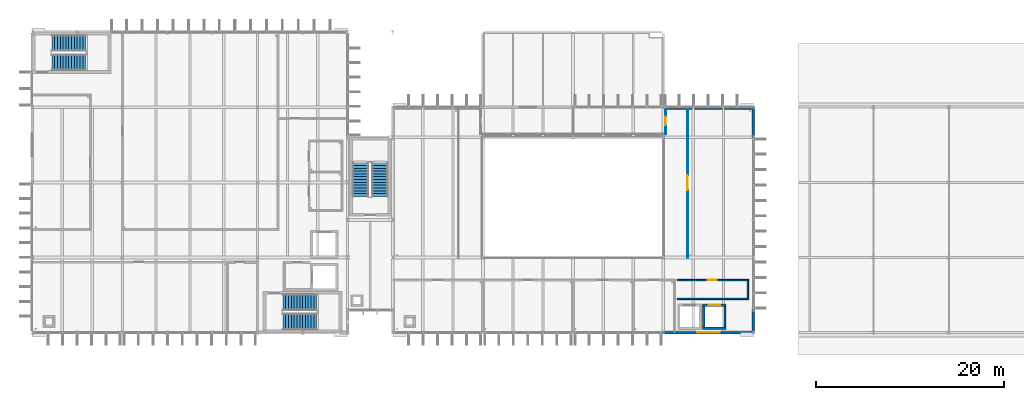
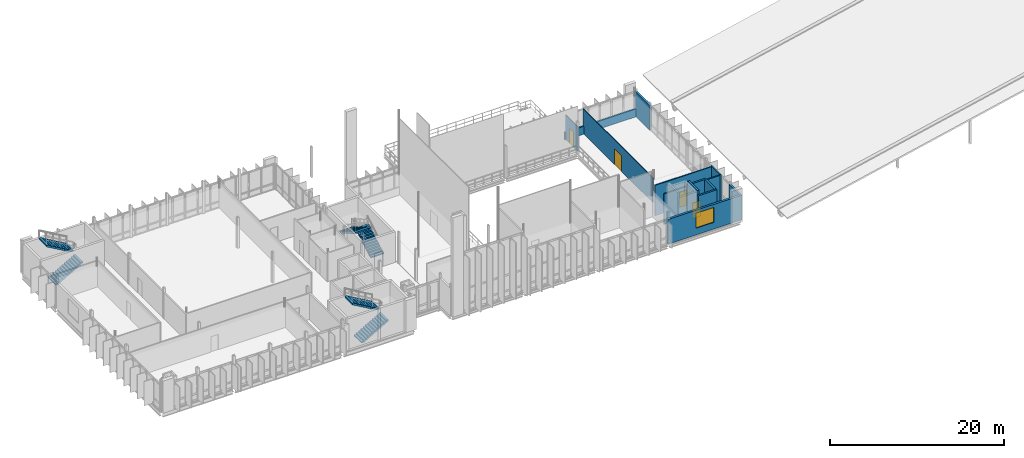
# One storey, part 24 of 41: 13 walls, 6 stair flights, 4 doors, 1 window, 5 openings, 3 elements without a shape of their own.
"""IFC4 building model written with IfcOpenShell, lengths in metres."""

from ifc_helpers import new_model, si_unit, direction, frame, frame_2d, origin, place, context, subcontext, project, spatial, polyline, rectangle, outline, extrude, material, layer, layer_set, type_object, element, fill, aggregate, save


model = new_model("IFC4")

# Units and contexts
model_context = context("Model", 3, precision=1e-05, world=origin(), true_north=direction((0.0, 1.0)))
body_context = subcontext(model_context, "Body", "Model", "MODEL_VIEW")
ifc_project = project(units=[si_unit("LENGTHUNIT", "METRE"), si_unit("AREAUNIT", "SQUARE_METRE"), si_unit("VOLUMEUNIT", "CUBIC_METRE"), si_unit("PLANEANGLEUNIT", "RADIAN"), si_unit("MASSUNIT", "GRAM", prefix="KILO")], contexts=[model_context])

# Site, building, storey
site_placement = place(None, origin())
site = spatial("IfcSite", under=ifc_project, at=site_placement, CompositionType="ELEMENT")
building_placement = place(site_placement, origin())
building = spatial("IfcBuilding", under=site, at=building_placement, Name="Dunescarp Central Library", CompositionType="ELEMENT")
storey_placement = place(building_placement, frame((0.0, 0.0, 23.10009765625)))
storey = spatial("IfcBuildingStorey", under=building, at=storey_placement, Name="L05", CompositionType="ELEMENT", Elevation=23.10009765625)

# Wall
ifc_material_1 = material(Name="Gypsum plasterboard acoustic partition")
ifc_layer_1 = layer(ifc_material_1, 0.14990234375)
ifc_layer_set_1 = layer_set([ifc_layer_1], Name="Gypsum plasterboard acoustic partition")
wall_type_1 = type_object("IfcWallType", Name="ARC-PT-AC150", PredefinedType="PARTITIONING", material=ifc_layer_set_1)
wall_1_placement = place(storey_placement, frame((68.675048828125, 8.39990234375, 0.0), z_axis=(0.0, 0.0, 1.0), x_axis=(1.0, 0.0, 0.0)))
element("IfcWall", 1, at=wall_1_placement, inside=storey, type_object=wall_type_1, Name="L05 partition PT-L05-0243", PredefinedType="PARTITIONING", context=body_context, shape_type="SweptSolid", body=[
    extrude(rectangle(XDim=7.449951171875, YDim=0.14990234375, at=frame_2d((3.72509765625, 0.0))), origin(), (0.0, 0.0, 1.0), 4.27392578125),
])

# Wall, opening, door
wall_2_placement = place(storey_placement, frame((68.675048828125, 10.39990234375, 0.0), z_axis=(0.0, 0.0, 1.0), x_axis=(1.0, 0.0, 0.0)))
wall_2 = element("IfcWall", 2, at=wall_2_placement, inside=storey, type_object=wall_type_1, Name="L05 partition PT-L05-0244", PredefinedType="PARTITIONING", context=body_context, shape_type="SweptSolid", body=[
    extrude(rectangle(XDim=7.449951171875, YDim=0.14990234375, at=frame_2d((3.72509765625, 0.0))), origin(), (0.0, 0.0, 1.0), 4.27392578125),
])
opening_1_placement = place(wall_2_placement, frame((3.25, 0.0, 0.0)))
opening_1 = element("IfcOpeningElement", 3, at=opening_1_placement, cuts=wall_2, Name="Opening DR-L05-0101", PredefinedType="OPENING", context=body_context, shape_type="SweptSolid", body=[
    extrude(rectangle(XDim=0.949951171875, YDim=2.14990234375, at=frame_2d((0.47509765625, 1.074951171875))), frame((0.0, 0.0849609375, 0.0), z_axis=(0.0, -1.0, 0.0), x_axis=(1.0, 0.0, 0.0)), (0.0, 0.0, 1.0), 0.169921875),
])
ifc_material_2 = material(Name="Hardwood solid-core timber leaf", Category="wood")
door_type_1 = type_object("IfcDoorType", Name="ARC-DR-INT950", OperationType="NOTDEFINED", PredefinedType="DOOR", material=ifc_material_2)
door_1_placement = place(opening_1_placement, origin())
door_1 = element("IfcDoor", 4, at=door_1_placement, inside=storey, type_object=door_type_1, Name="L05 interior door DR-L05-0101", OperationType="SINGLE_SWING_LEFT", OverallHeight=2.14990234375, OverallWidth=0.949951171875, PredefinedType="DOOR", context=body_context, shape_type="SweptSolid", body=[
    extrude(rectangle(XDim=0.949951171875, YDim=2.14990234375, at=frame_2d((0.47509765625, 1.074951171875))), frame((0.0, 0.02490234375, 0.0), z_axis=(0.0, -1.0, 0.0), x_axis=(1.0, 0.0, 0.0)), (0.0, 0.0, 1.0), 0.050048828125),
])
fill(opening_1, door_1)

# Wall
wall_3_placement = place(storey_placement, frame((76.199951171875, 8.324951171875, 0.0), z_axis=(0.0, 0.0, 1.0), x_axis=(0.0, 1.0, 0.0)))
element("IfcWall", 5, at=wall_3_placement, inside=storey, type_object=wall_type_1, Name="L05 partition PT-L05-0245", PredefinedType="PARTITIONING", context=body_context, shape_type="SweptSolid", body=[
    extrude(rectangle(XDim=2.150146484375, YDim=0.14990234375, at=frame_2d((1.0751953125, 0.0))), origin(), (0.0, 0.0, 1.0), 4.3828125),
])

# Wall, opening, door
ifc_material_3 = material(Name="Solar-control laminated double glazing", Category="glass")
ifc_layer_2 = layer(ifc_material_3, 0.10009765625)
ifc_layer_set_2 = layer_set([ifc_layer_2], Name="Solar-control laminated double glazing")
wall_type_2 = type_object("IfcWallType", Name="ARC-PT-GLZ100", PredefinedType="MOVABLE", material=ifc_layer_set_2)
wall_4_placement = place(storey_placement, frame((69.800048828125, 12.800048828125, 0.0), z_axis=(0.0, 0.0, 1.0), x_axis=(0.0, 1.0, 0.0)))
wall_4 = element("IfcWall", 6, at=wall_4_placement, inside=storey, type_object=wall_type_2, Name="L05 partition PT-L05-0247", PredefinedType="MOVABLE", context=body_context, shape_type="SweptSolid", body=[
    extrude(rectangle(XDim=15.9599609375, YDim=0.10009765625, at=frame_2d((7.97998046875, 0.0))), origin(), (0.0, 0.0, 1.0), 3.4658203125),
])
opening_2_placement = place(wall_4_placement, frame((7.179931640625, 0.0, 0.0)))
opening_2 = element("IfcOpeningElement", 7, at=opening_2_placement, cuts=wall_4, Name="Opening DR-L05-0103", PredefinedType="OPENING", context=body_context, shape_type="SweptSolid", body=[
    extrude(rectangle(XDim=1.60009765625, YDim=2.25, at=frame_2d((0.800048828125, 1.125))), frame((0.0, 0.06005859375, 0.0), z_axis=(0.0, -1.0, 0.0), x_axis=(1.0, 0.0, 0.0)), (0.0, 0.0, 1.0), 0.1201171875),
])
ifc_material_4 = material(Name="Marine-grade anodised aluminium 6063-T6", Category="aluminium")
door_type_2 = type_object("IfcDoorType", Name="ARC-DR-DBL1600", OperationType="DOUBLE_DOOR_SINGLE_SWING", PredefinedType="DOOR", material=ifc_material_4)
door_2_placement = place(opening_2_placement, origin())
door_2 = element("IfcDoor", 8, at=door_2_placement, inside=storey, type_object=door_type_2, Name="L05 interior door DR-L05-0103", OperationType="DOUBLE_DOOR_SINGLE_SWING", OverallHeight=2.25, OverallWidth=1.60009765625, PredefinedType="DOOR", context=body_context, shape_type="SweptSolid", body=[
    extrude(rectangle(XDim=1.60009765625, YDim=2.25, at=frame_2d((0.800048828125, 1.125))), frame((0.0, 0.02490234375, 0.0), z_axis=(0.0, -1.0, 0.0), x_axis=(1.0, 0.0, 0.0)), (0.0, 0.0, 1.0), 0.050048828125),
])
fill(opening_2, door_2)

wall_5_placement = place(storey_placement, frame((67.449951171875, 25.89990234375, 0.0), z_axis=(0.0, 0.0, 1.0), x_axis=(0.0, 1.0, 0.0)))
wall_5 = element("IfcWall", 9, at=wall_5_placement, inside=storey, type_object=wall_type_2, Name="L05 partition PT-L05-0252", PredefinedType="MOVABLE", context=body_context, shape_type="SweptSolid", body=[
    extrude(rectangle(XDim=2.860107421875, YDim=0.10009765625, at=frame_2d((1.43017578125, 0.0))), origin(), (0.0, 0.0, 1.0), 3.4658203125),
])
opening_3_placement = place(wall_5_placement, frame((0.955078125, 0.0, 0.0)))
opening_3 = element("IfcOpeningElement", 10, at=opening_3_placement, cuts=wall_5, Name="Opening DR-L05-0105", PredefinedType="OPENING", context=body_context, shape_type="SweptSolid", body=[
    extrude(rectangle(XDim=0.949951171875, YDim=2.14990234375, at=frame_2d((0.47509765625, 1.074951171875))), frame((0.0, 0.06005859375, 0.0), z_axis=(0.0, -1.0, 0.0), x_axis=(1.0, 0.0, 0.0)), (0.0, 0.0, 1.0), 0.1201171875),
])
door_3_placement = place(opening_3_placement, origin())
door_3 = element("IfcDoor", 11, at=door_3_placement, inside=storey, type_object=door_type_1, Name="L05 interior door DR-L05-0105", OperationType="SINGLE_SWING_LEFT", OverallHeight=2.14990234375, OverallWidth=0.949951171875, PredefinedType="DOOR", context=body_context, shape_type="SweptSolid", body=[
    extrude(rectangle(XDim=0.949951171875, YDim=2.14990234375, at=frame_2d((0.47509765625, 1.074951171875))), frame((0.0, 0.02490234375, 0.0), z_axis=(0.0, -1.0, 0.0), x_axis=(1.0, 0.0, 0.0)), (0.0, 0.0, 1.0), 0.050048828125),
])
fill(opening_3, door_3)

# Walls
ifc_material_5 = material(Name="Glass-fibre reinforced concrete GRC", Category="concrete")
ifc_layer_3 = layer(ifc_material_5, 0.260009765625)
ifc_layer_set_3 = layer_set([ifc_layer_3], Name="Glass-fibre reinforced concrete GRC")
wall_type_3 = type_object("IfcWallType", Name="ARC-WL-GRC260", PredefinedType="SOLIDWALL", material=ifc_layer_set_3)
wall_6_placement = place(storey_placement, frame((76.800048828125, 7.284912109375, 0.0), z_axis=(0.0, 0.0, 1.0), x_axis=(0.0, -1.0, 0.0)))
element("IfcWall", 12, at=wall_6_placement, inside=storey, type_object=wall_type_3, Name="L05 external wall EW-V2-063", PredefinedType="SOLIDWALL", context=body_context, shape_type="SweptSolid", body=[
    extrude(rectangle(XDim=2.56982421875, YDim=0.260009765625, at=frame_2d((1.284912109375, 0.0))), origin(), (0.0, 0.0, 1.0), 3.472900390625),
])
wall_7_placement = place(storey_placement, frame((76.800048828125, 28.885009765625, 0.0), z_axis=(0.0, 0.0, 1.0), x_axis=(0.0, -1.0, 0.0)))
element("IfcWall", 13, at=wall_7_placement, inside=storey, type_object=wall_type_3, Name="L05 external wall EW-V2-064", PredefinedType="SOLIDWALL", context=body_context, shape_type="SweptSolid", body=[
    extrude(rectangle(XDim=3.3701171875, YDim=0.260009765625, at=frame_2d((1.68505859375, 0.0))), origin(), (0.0, 0.0, 1.0), 3.4658203125),
])

# Wall, opening, window
ifc_layer_4 = layer(ifc_material_5, 0.280029296875)
ifc_layer_set_4 = layer_set([ifc_layer_4], Name="Glass-fibre reinforced concrete GRC")
wall_type_4 = type_object("IfcWallType", Name="ARC-WL-GRC280", PredefinedType="SOLIDWALL", material=ifc_layer_set_4)
wall_8_placement = place(storey_placement, frame((76.885009765625, 4.800048828125, 0.0), z_axis=(0.0, 0.0, 1.0), x_axis=(-1.0, 0.0, 0.0)))
wall_8 = element("IfcWall", 14, at=wall_8_placement, inside=storey, type_object=wall_type_4, Name="L05 external wall EW-V2-059", PredefinedType="SOLIDWALL", context=body_context, shape_type="SweptSolid", body=[
    extrude(rectangle(XDim=9.77001953125, YDim=0.280029296875, at=frame_2d((4.885009765625, 0.0))), origin(), (0.0, 0.0, 1.0), 3.472900390625),
])
opening_4_placement = place(wall_8_placement, frame((3.68505859375, 0.0, 0.949951171875)))
opening_4 = element("IfcOpeningElement", 15, at=opening_4_placement, cuts=wall_8, Name="Opening WN-013", PredefinedType="OPENING", context=body_context, shape_type="SweptSolid", body=[
    extrude(rectangle(XDim=2.39990234375, YDim=2.10009765625, at=frame_2d((1.199951171875, 1.050048828125))), frame((0.0, 0.14990234375, 0.0), z_axis=(0.0, -1.0, 0.0), x_axis=(1.0, 0.0, 0.0)), (0.0, 0.0, 1.0), 0.300048828125),
])
window_type = type_object("IfcWindowType", Name="ARC-WN-2400X2100", PartitioningType="SINGLE_PANEL", PredefinedType="WINDOW", material=ifc_material_3)
window_placement = place(opening_4_placement, origin())
window = element("IfcWindow", 16, at=window_placement, inside=storey, type_object=window_type, Name="L05 window WN-013", OverallHeight=2.10009765625, OverallWidth=2.39990234375, PartitioningType="SINGLE_PANEL", PredefinedType="WINDOW", context=body_context, shape_type="SweptSolid", body=[
    extrude(rectangle(XDim=2.39990234375, YDim=2.10009765625, at=frame_2d((1.199951171875, 1.050048828125))), frame((0.0, 0.030029296875, 0.0), z_axis=(0.0, -1.0, 0.0), x_axis=(1.0, 0.0, 0.0)), (0.0, 0.0, 1.0), 0.06005859375),
])
fill(opening_4, window)

# Walls
ifc_material_6 = material(Name="Concrete C35/45", Category="concrete")
ifc_layer_5 = layer(ifc_material_6, 0.2099609375)
ifc_layer_set_5 = layer_set([ifc_layer_5], Name="Concrete C35/45")
wall_type_5 = type_object("IfcWallType", Name="ARC-WL-PAR1100", PredefinedType="PARAPET", material=ifc_layer_set_5)
wall_9_placement = place(storey_placement, frame((67.25, 28.699951171875, 0.0), z_axis=(0.0, 0.0, 1.0), x_axis=(1.0, 0.0, 0.0)))
element("IfcWall", 17, at=wall_9_placement, inside=storey, type_object=wall_type_5, Name="L05 setback parapet PAR-V2L5-E", PredefinedType="PARAPET", context=body_context, shape_type="SweptSolid", body=[
    extrude(rectangle(XDim=9.5, YDim=0.199951171875, at=frame_2d((4.75, 0.0))), origin(), (0.0, 0.0, 1.0), 1.099853515625),
])
ifc_material_7 = material(Name="Concrete C40/50", Category="concrete")
ifc_layer_6 = layer(ifc_material_7, 0.25)
ifc_layer_set_6 = layer_set([ifc_layer_6], Name="Concrete C40/50")
wall_type_6 = type_object("IfcWallType", Name="STR-WL-CORE250", PredefinedType="SHEAR", material=ifc_layer_set_6)
wall_10_placement = place(storey_placement, frame((73.89990234375, 5.27490234375, 0.0), z_axis=(0.0, 0.0, 1.0), x_axis=(-1.0, 0.0, 0.0)))
element("IfcWall", 18, at=wall_10_placement, inside=storey, type_object=wall_type_6, Name="L05 PL-2 lift shaft wall S", PredefinedType="SHEAR", context=body_context, shape_type="SweptSolid", body=[
    extrude(rectangle(XDim=2.5, YDim=0.25, at=frame_2d((1.25, 0.0))), origin(), (0.0, 0.0, 1.0), 4.972900390625),
])

# Wall, opening, door
wall_11_placement = place(storey_placement, frame((71.39990234375, 7.72509765625, 0.0), z_axis=(0.0, 0.0, 1.0), x_axis=(1.0, 0.0, 0.0)))
wall_11 = element("IfcWall", 19, at=wall_11_placement, inside=storey, type_object=wall_type_6, Name="L05 PL-2 lift shaft wall N", PredefinedType="SHEAR", context=body_context, shape_type="SweptSolid", body=[
    extrude(rectangle(XDim=2.5, YDim=0.25, at=frame_2d((1.25, 0.0))), origin(), (0.0, 0.0, 1.0), 4.972900390625),
])
opening_5_placement = place(wall_11_placement, frame((0.64990234375, 0.0, 0.0)))
opening_5 = element("IfcOpeningElement", 20, at=opening_5_placement, cuts=wall_11, Name="Opening LD-PL-2-L05", PredefinedType="OPENING", context=body_context, shape_type="SweptSolid", body=[
    extrude(rectangle(XDim=1.199951171875, YDim=2.199951171875, at=frame_2d((0.60009765625, 1.10009765625))), frame((0.0, 0.135009765625, 0.0), z_axis=(0.0, -1.0, 0.0), x_axis=(1.0, 0.0, 0.0)), (0.0, 0.0, 1.0), 0.27001953125),
])
ifc_material_8 = material(Name="Stainless steel Grade 316L", Category="steel")
door_type_3 = type_object("IfcDoorType", Name="ARC-DR-LD1200", OperationType="DOUBLE_DOOR_SLIDING", PredefinedType="DOOR", material=ifc_material_8)
door_4_placement = place(opening_5_placement, origin())
door_4 = element("IfcDoor", 21, at=door_4_placement, inside=storey, type_object=door_type_3, Name="L05 PL-2 lift landing door", OperationType="DOUBLE_DOOR_SLIDING", OverallHeight=2.199951171875, OverallWidth=1.199951171875, PredefinedType="DOOR", context=body_context, shape_type="SweptSolid", body=[
    extrude(rectangle(XDim=1.199951171875, YDim=2.199951171875, at=frame_2d((0.60009765625, 1.10009765625))), frame((0.0, 0.02490234375, 0.0), z_axis=(0.0, -1.0, 0.0), x_axis=(1.0, 0.0, 0.0)), (0.0, 0.0, 1.0), 0.050048828125),
])
fill(opening_5, door_4)

# Walls
wall_12_placement = place(storey_placement, frame((71.52490234375, 5.39990234375, 0.0), z_axis=(0.0, 0.0, 1.0), x_axis=(0.0, 1.0, 0.0)))
element("IfcWall", 22, at=wall_12_placement, inside=storey, type_object=wall_type_6, Name="L05 PL-2 lift shaft wall W", PredefinedType="SHEAR", context=body_context, shape_type="SweptSolid", body=[
    extrude(rectangle(XDim=2.2001953125, YDim=0.25, at=frame_2d((1.10009765625, 0.0))), origin(), (0.0, 0.0, 1.0), 5.56689453125),
])
wall_13_placement = place(storey_placement, frame((73.77490234375, 7.60009765625, 0.0), z_axis=(0.0, 0.0, 1.0), x_axis=(0.0, -1.0, 0.0)))
element("IfcWall", 23, at=wall_13_placement, inside=storey, type_object=wall_type_6, Name="L05 PL-2 lift shaft wall E", PredefinedType="SHEAR", context=body_context, shape_type="SweptSolid", body=[
    extrude(rectangle(XDim=2.2001953125, YDim=0.25, at=frame_2d((1.10009765625, 0.0))), origin(), (0.0, 0.0, 1.0), 5.0048828125),
])

# Stair, stair flights
stair_type = type_object("IfcStairType", Name="ARC-STR-TYP", PredefinedType="HALF_TURN_STAIR", material=ifc_material_6)
stair_1_placement = place(storey_placement, origin())
stair_1 = element("IfcStair", 24, at=stair_1_placement, inside=storey, type_object=stair_type, Name="L05 Protected escape stair ST-1", PredefinedType="HALF_TURN_STAIR")
stair_flight_type = type_object("IfcStairFlightType", Name="ARC-FLT-TYP", PredefinedType="STRAIGHT", material=ifc_material_6)
stair_flight_1_placement = place(storey_placement, frame((26.699951171875, 5.9599609375, 0.0), z_axis=(0.0, 0.0, 1.0), x_axis=(1.0, 0.0, 0.0)))
stair_flight_1 = element("IfcStairFlight", 25, at=stair_flight_1_placement, type_object=stair_flight_type, Name="ST-1 flight 1", NumberOfRisers=13, NumberOfTreads=12, PredefinedType="STRAIGHT", RiserHeight=0.173076923, TreadLength=0.3, context=body_context, shape_type="SweptSolid", body=[
    extrude(outline(polyline([(0.0, 0.0), (0.0, 0.173095703125), (0.300048828125, 0.173095703125), (0.300048828125, 0.34619140625), (0.60009765625, 0.34619140625), (0.60009765625, 0.519287109375), (0.89990234375, 0.519287109375), (0.89990234375, 0.6923828125), (1.199951171875, 0.6923828125), (1.199951171875, 0.865478515625), (1.5, 0.865478515625), (1.5, 1.03857421875), (1.800048828125, 1.03857421875), (1.800048828125, 1.21142578125), (2.10009765625, 1.21142578125), (2.10009765625, 1.384521484375), (2.39990234375, 1.384521484375), (2.39990234375, 1.5576171875), (2.699951171875, 1.5576171875), (2.699951171875, 1.730712890625), (3.0, 1.730712890625), (3.0, 1.90380859375), (3.300048828125, 1.90380859375), (3.300048828125, 2.076904296875), (3.60009765625, 2.076904296875), (3.60009765625, 2.25), (3.60009765625, 1.869140625), (0.360107421875, 0.0), (0.0, 0.0)])), frame((0.0, 0.85986328125, 0.0), z_axis=(0.0, -1.0, 0.0), x_axis=(1.0, 0.0, 0.0)), (0.0, 0.0, 1.0), 1.719970703125),
])
stair_flight_2_placement = place(storey_placement, frame((30.300048828125, 8.0400390625, 2.25), z_axis=(0.0, 0.0, 1.0), x_axis=(-1.0, 0.0, 0.0)))
stair_flight_2 = element("IfcStairFlight", 26, at=stair_flight_2_placement, type_object=stair_flight_type, Name="ST-1 flight 2", NumberOfRisers=13, NumberOfTreads=12, PredefinedType="STRAIGHT", RiserHeight=0.173076923, TreadLength=0.3, context=body_context, shape_type="SweptSolid", body=[
    extrude(outline(polyline([(0.0, 0.0), (0.0, 0.173095703125), (0.300048828125, 0.173095703125), (0.300048828125, 0.34619140625), (0.60009765625, 0.34619140625), (0.60009765625, 0.519287109375), (0.89990234375, 0.519287109375), (0.89990234375, 0.6923828125), (1.199951171875, 0.6923828125), (1.199951171875, 0.865478515625), (1.5, 0.865478515625), (1.5, 1.03857421875), (1.800048828125, 1.03857421875), (1.800048828125, 1.21142578125), (2.10009765625, 1.21142578125), (2.10009765625, 1.384521484375), (2.39990234375, 1.384521484375), (2.39990234375, 1.5576171875), (2.699951171875, 1.5576171875), (2.699951171875, 1.730712890625), (3.0, 1.730712890625), (3.0, 1.90380859375), (3.300048828125, 1.90380859375), (3.300048828125, 2.076904296875), (3.60009765625, 2.076904296875), (3.60009765625, 2.25), (3.60009765625, 1.869140625), (0.360107421875, 0.0), (0.0, 0.0)])), frame((0.0, 0.85986328125, 0.0), z_axis=(0.0, -1.0, 0.0), x_axis=(1.0, 0.0, 0.0)), (0.0, 0.0, 1.0), 1.719970703125),
])
aggregate(stair_1, [stair_flight_1, stair_flight_2])

stair_2_placement = place(storey_placement, origin())
stair_2 = element("IfcStair", 27, at=stair_2_placement, inside=storey, type_object=stair_type, Name="L05 Protected escape stair ST-6", PredefinedType="HALF_TURN_STAIR")
stair_flight_3_placement = place(storey_placement, frame((2.10009765625, 33.56005859375, 0.0), z_axis=(0.0, 0.0, 1.0), x_axis=(1.0, 0.0, 0.0)))
stair_flight_3 = element("IfcStairFlight", 28, at=stair_flight_3_placement, type_object=stair_flight_type, Name="ST-6 flight 1", NumberOfRisers=13, NumberOfTreads=12, PredefinedType="STRAIGHT", RiserHeight=0.173076923, TreadLength=0.3, context=body_context, shape_type="SweptSolid", body=[
    extrude(outline(polyline([(0.0, 0.0), (0.0, 0.173095703125), (0.300048828125, 0.173095703125), (0.300048828125, 0.34619140625), (0.60009765625, 0.34619140625), (0.60009765625, 0.519287109375), (0.89990234375, 0.519287109375), (0.89990234375, 0.6923828125), (1.199951171875, 0.6923828125), (1.199951171875, 0.865478515625), (1.5, 0.865478515625), (1.5, 1.03857421875), (1.800048828125, 1.03857421875), (1.800048828125, 1.21142578125), (2.10009765625, 1.21142578125), (2.10009765625, 1.384521484375), (2.39990234375, 1.384521484375), (2.39990234375, 1.5576171875), (2.699951171875, 1.5576171875), (2.699951171875, 1.730712890625), (3.0, 1.730712890625), (3.0, 1.90380859375), (3.300048828125, 1.90380859375), (3.300048828125, 2.076904296875), (3.60009765625, 2.076904296875), (3.60009765625, 2.25), (3.60009765625, 1.869140625), (0.360107421875, 0.0), (0.0, 0.0)])), frame((0.0, 0.85986328125, 0.0), z_axis=(0.0, -1.0, 0.0), x_axis=(1.0, 0.0, 0.0)), (0.0, 0.0, 1.0), 1.719970703125),
])
stair_flight_4_placement = place(storey_placement, frame((5.699951171875, 35.639892578125, 2.25), z_axis=(0.0, 0.0, 1.0), x_axis=(-1.0, 0.0, 0.0)))
stair_flight_4 = element("IfcStairFlight", 29, at=stair_flight_4_placement, type_object=stair_flight_type, Name="ST-6 flight 2", NumberOfRisers=13, NumberOfTreads=12, PredefinedType="STRAIGHT", RiserHeight=0.173076923, TreadLength=0.3, context=body_context, shape_type="SweptSolid", body=[
    extrude(outline(polyline([(0.0, 0.0), (0.0, 0.173095703125), (0.300048828125, 0.173095703125), (0.300048828125, 0.34619140625), (0.60009765625, 0.34619140625), (0.60009765625, 0.519287109375), (0.89990234375, 0.519287109375), (0.89990234375, 0.6923828125), (1.199951171875, 0.6923828125), (1.199951171875, 0.865478515625), (1.5, 0.865478515625), (1.5, 1.03857421875), (1.800048828125, 1.03857421875), (1.800048828125, 1.21142578125), (2.10009765625, 1.21142578125), (2.10009765625, 1.384521484375), (2.39990234375, 1.384521484375), (2.39990234375, 1.5576171875), (2.699951171875, 1.5576171875), (2.699951171875, 1.730712890625), (3.0, 1.730712890625), (3.0, 1.90380859375), (3.300048828125, 1.90380859375), (3.300048828125, 2.076904296875), (3.60009765625, 2.076904296875), (3.60009765625, 2.25), (3.60009765625, 1.869140625), (0.360107421875, 0.0), (0.0, 0.0)])), frame((0.0, 0.85986328125, 0.0), z_axis=(0.0, -1.0, 0.0), x_axis=(1.0, 0.0, 0.0)), (0.0, 0.0, 1.0), 1.719970703125),
])
aggregate(stair_2, [stair_flight_3, stair_flight_4])

stair_3_placement = place(storey_placement, origin())
stair_3 = element("IfcStair", 30, at=stair_3_placement, inside=storey, type_object=stair_type, Name="L05 Protected escape stair ST-2", PredefinedType="HALF_TURN_STAIR")
stair_flight_5_placement = place(storey_placement, frame((37.0400390625, 19.300048828125, 0.0), z_axis=(0.0, 0.0, 1.0), x_axis=(0.0, 1.0, 0.0)))
stair_flight_5 = element("IfcStairFlight", 31, at=stair_flight_5_placement, type_object=stair_flight_type, Name="ST-2 flight 1", NumberOfRisers=13, NumberOfTreads=12, PredefinedType="STRAIGHT", RiserHeight=0.173076923, TreadLength=0.3, context=body_context, shape_type="SweptSolid", body=[
    extrude(outline(polyline([(0.0, 0.0), (0.0, 0.173095703125), (0.300048828125, 0.173095703125), (0.300048828125, 0.34619140625), (0.60009765625, 0.34619140625), (0.60009765625, 0.519287109375), (0.89990234375, 0.519287109375), (0.89990234375, 0.6923828125), (1.199951171875, 0.6923828125), (1.199951171875, 0.865478515625), (1.5, 0.865478515625), (1.5, 1.03857421875), (1.800048828125, 1.03857421875), (1.800048828125, 1.21142578125), (2.10009765625, 1.21142578125), (2.10009765625, 1.384521484375), (2.39990234375, 1.384521484375), (2.39990234375, 1.5576171875), (2.699951171875, 1.5576171875), (2.699951171875, 1.730712890625), (3.0, 1.730712890625), (3.0, 1.90380859375), (3.300048828125, 1.90380859375), (3.300048828125, 2.076904296875), (3.60009765625, 2.076904296875), (3.60009765625, 2.25), (3.60009765625, 1.869140625), (0.360107421875, 0.0), (0.0, 0.0)])), frame((0.0, 0.85986328125, 0.0), z_axis=(0.0, -1.0, 0.0), x_axis=(1.0, 0.0, 0.0)), (0.0, 0.0, 1.0), 1.719970703125),
])
stair_flight_6_placement = place(storey_placement, frame((34.9599609375, 22.89990234375, 2.25), z_axis=(0.0, 0.0, 1.0), x_axis=(0.0, -1.0, 0.0)))
stair_flight_6 = element("IfcStairFlight", 32, at=stair_flight_6_placement, type_object=stair_flight_type, Name="ST-2 flight 2", NumberOfRisers=13, NumberOfTreads=12, PredefinedType="STRAIGHT", RiserHeight=0.173076923, TreadLength=0.3, context=body_context, shape_type="SweptSolid", body=[
    extrude(outline(polyline([(0.0, 0.0), (0.0, 0.173095703125), (0.300048828125, 0.173095703125), (0.300048828125, 0.34619140625), (0.60009765625, 0.34619140625), (0.60009765625, 0.519287109375), (0.89990234375, 0.519287109375), (0.89990234375, 0.6923828125), (1.199951171875, 0.6923828125), (1.199951171875, 0.865478515625), (1.5, 0.865478515625), (1.5, 1.03857421875), (1.800048828125, 1.03857421875), (1.800048828125, 1.21142578125), (2.10009765625, 1.21142578125), (2.10009765625, 1.384521484375), (2.39990234375, 1.384521484375), (2.39990234375, 1.5576171875), (2.699951171875, 1.5576171875), (2.699951171875, 1.730712890625), (3.0, 1.730712890625), (3.0, 1.90380859375), (3.300048828125, 1.90380859375), (3.300048828125, 2.076904296875), (3.60009765625, 2.076904296875), (3.60009765625, 2.25), (3.60009765625, 1.869140625), (0.360107421875, 0.0), (0.0, 0.0)])), frame((0.0, 0.85986328125, 0.0), z_axis=(0.0, -1.0, 0.0), x_axis=(1.0, 0.0, 0.0)), (0.0, 0.0, 1.0), 1.719970703125),
])
aggregate(stair_3, [stair_flight_5, stair_flight_6])

save(model, "model.ifc")
